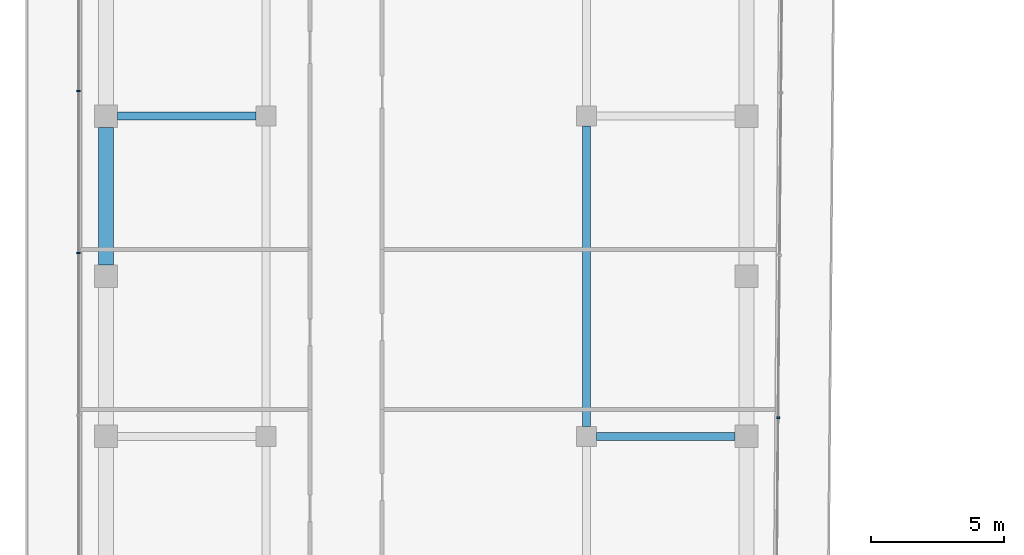
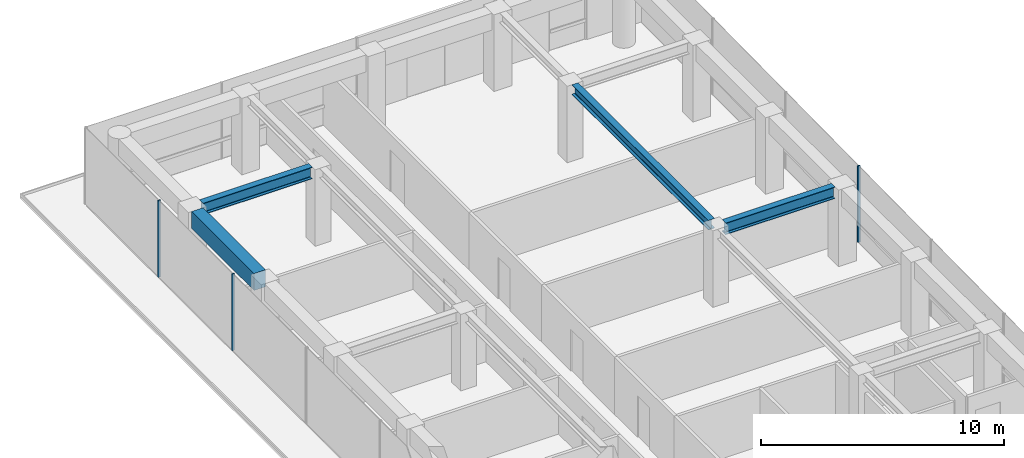
# One storey, part 11 of 19: 4 beams, 3 members, 2 elements without a shape of their own.
"""IFC4 building model written with IfcOpenShell, lengths in metres."""

from ifc_helpers import new_model, si_unit, direction, frame, origin, origin_2d, place, context, subcontext, project, spatial, rectangle, i_section, extrude, material, layer, layer_set, material_profile, profile_set, type_object, element, aggregate, save


model = new_model("IFC4")

# Units and contexts
model_context = context("Model", 3, precision=1e-05, world=origin(), true_north=direction((0.0, 1.0)))
body_context = subcontext(model_context, "Body", "Model", "MODEL_VIEW")
ifc_project = project(units=[si_unit("LENGTHUNIT", "METRE"), si_unit("AREAUNIT", "SQUARE_METRE"), si_unit("VOLUMEUNIT", "CUBIC_METRE"), si_unit("PLANEANGLEUNIT", "RADIAN"), si_unit("MASSUNIT", "GRAM", prefix="KILO")], contexts=[model_context])

# Site, building, storey
site_placement = place(None, origin())
site = spatial("IfcSite", under=ifc_project, at=site_placement, CompositionType="ELEMENT")
building_placement = place(site_placement, origin())
building = spatial("IfcBuilding", under=site, at=building_placement, Name="Welwitschia Terrace Campus", CompositionType="ELEMENT")
storey_placement = place(building_placement, frame((0.0, 0.0, 167.60009765625)))
storey = spatial("IfcBuildingStorey", under=building, at=storey_placement, Name="L37", CompositionType="ELEMENT", Elevation=167.60009765625)

# Beam
ifc_material_1 = material(Name="Steel S355", Category="steel")
ifc_material_profile_1 = material_profile(ifc_material_1, i_section(OverallWidth=0.300048828125, OverallDepth=0.489990234375, WebThickness=0.011962890625, FlangeThickness=0.02294921875, FilletRadius=0.027099609375, at=origin_2d()))
ifc_profile_set_1 = profile_set([ifc_material_profile_1], Name="Steel S355")
beam_type_1 = type_object("IfcBeamType", Name="Interior girder HE 500 A", PredefinedType="BEAM", material=ifc_profile_set_1)
beam_1_placement = place(storey_placement, frame((18.0, 44.37548828125, 3.60498046875), z_axis=(0.0, 1.0, 0.0), x_axis=(-1.0, 0.0, 0.0)))
element("IfcBeam", 1, at=beam_1_placement, inside=storey, type_object=beam_type_1, Name="Girder GB4", PredefinedType="BEAM", context=body_context, shape_type="SweptSolid", body=[
    extrude(i_section(OverallWidth=0.300048828125, OverallDepth=0.489990234375, WebThickness=0.011962890625, FlangeThickness=0.02294921875, FilletRadius=0.027099609375, at=origin_2d()), origin(), (0.0, 0.0, 1.0), 11.2490234375),
])

# Curtain wall, members
ifc_material_2 = material(Name="Bronze anodised aluminium", Category="aluminium")
ifc_layer = layer(ifc_material_2, 0.1201171875)
ifc_layer_set = layer_set([ifc_layer], Name="Bronze anodised aluminium")
curtain_wall_type = type_object("IfcCurtainWallType", Name="Curtain wall CW2 tower 6000", PredefinedType="NOTDEFINED", material=ifc_layer_set)
curtain_wall_1_placement = place(storey_placement, origin())
curtain_wall_1 = element("IfcCurtainWall", 2, at=curtain_wall_1_placement, inside=storey, type_object=curtain_wall_type, Name="CW L37.1.0", PredefinedType="NOTDEFINED")
ifc_material_3 = material(Name="Bronze anodised aluminium", Category="aluminium")
ifc_material_profile_2 = material_profile(ifc_material_3, rectangle(XDim=0.1201171875, YDim=0.06005859375, at=origin_2d()))
ifc_profile_set_2 = profile_set([ifc_material_profile_2], Name="Bronze anodised aluminium")
member_type = type_object("IfcMemberType", Name="Mullion 60x120", PredefinedType="MULLION", material=ifc_profile_set_2)
member_1_placement = place(storey_placement, frame((-1.030029296875, 56.947265625, 0.0), z_axis=(0.0, 0.0, 1.0), x_axis=(1.0, 0.0, 0.0)))
member_1 = element("IfcMember", 3, at=member_1_placement, type_object=member_type, Name="Mullion L37.1.0.1", PredefinedType="MULLION", context=body_context, shape_type="SweptSolid", body=[
    extrude(rectangle(XDim=0.1201171875, YDim=0.06005859375, at=origin_2d()), origin(), (0.0, 0.0, 1.0), 3.849853515625),
])
member_2_placement = place(storey_placement, frame((-1.030029296875, 50.864501953125, 0.0), z_axis=(0.0, 0.0, 1.0), x_axis=(1.0, 0.0, 0.0)))
member_2 = element("IfcMember", 4, at=member_2_placement, type_object=member_type, Name="Mullion L37.1.0.2", PredefinedType="MULLION", context=body_context, shape_type="SweptSolid", body=[
    extrude(rectangle(XDim=0.1201171875, YDim=0.06005859375, at=origin_2d()), origin(), (0.0, 0.0, 1.0), 3.849853515625),
])
aggregate(curtain_wall_1, [member_1, member_2])

# Curtain wall, member
curtain_wall_2_placement = place(storey_placement, origin())
curtain_wall_2 = element("IfcCurtainWall", 5, at=curtain_wall_2_placement, inside=storey, type_object=curtain_wall_type, Name="CW L37.11.0", PredefinedType="NOTDEFINED")
member_3_placement = place(storey_placement, frame((25.189453125, 44.69775390625, 0.0), z_axis=(0.0, 0.0, 1.0), x_axis=(-0.999961923064, 0.008726535498, 0.0)))
member_3 = element("IfcMember", 6, at=member_3_placement, type_object=member_type, Name="Mullion L37.11.0.3", PredefinedType="MULLION", context=body_context, shape_type="SweptSolid", body=[
    extrude(rectangle(XDim=0.1201171875, YDim=0.06005859375, at=origin_2d()), origin(), (0.0, 0.0, 1.0), 3.849853515625),
])
aggregate(curtain_wall_2, [member_3])

# Beams
ifc_material_4 = material(Name="Steel S355", Category="steel")
ifc_material_profile_3 = material_profile(ifc_material_4, i_section(OverallWidth=0.300048828125, OverallDepth=0.590087890625, WebThickness=0.012939453125, FlangeThickness=0.02490234375, FilletRadius=0.027099609375, at=origin_2d()))
ifc_profile_set_3 = profile_set([ifc_material_profile_3], Name="Steel S355")
beam_type_2 = type_object("IfcBeamType", Name="Primary beam HE 600 A", PredefinedType="BEAM", material=ifc_profile_set_3)
for number, where, z_axis, x_axis, name in (
    (7, (23.574462890625, 44.0, 3.554931640625), (-1.0, 0.0, 0.0), (0.0, -1.0, 0.0), "Primary beam PB4"),
    (8, (0.425537109375, 56.0, 3.554931640625), (1.0, 0.0, 0.0), (0.0, 1.0, 0.0), "Primary beam PB4"),
):
    element("IfcBeam", number, at=place(storey_placement, frame(where, z_axis=z_axis, x_axis=x_axis)), inside=storey, type_object=beam_type_2, Name=name, PredefinedType="BEAM", context=body_context, shape_type="SweptSolid", body=[
        extrude(i_section(OverallWidth=0.300048828125, OverallDepth=0.590087890625, WebThickness=0.012939453125, FlangeThickness=0.02490234375, FilletRadius=0.027099609375, at=origin_2d()), origin(), (0.0, 0.0, 1.0), 5.198974609375),
    ])
ifc_material_5 = material(Name="Concrete C50/60", Category="concrete")
ifc_material_profile_4 = material_profile(ifc_material_5, rectangle(XDim=0.550048828125, YDim=0.85009765625, at=origin_2d()))
ifc_profile_set_4 = profile_set([ifc_material_profile_4], Name="Concrete C50/60")
beam_type_3 = type_object("IfcBeamType", Name="Ring spandrel 550x850", PredefinedType="SPANDREL", material=ifc_profile_set_4)
beam_2_placement = place(storey_placement, frame((0.0, 55.574462890625, 3.4248046875), z_axis=(0.0, -1.0, 0.0), x_axis=(1.0, 0.0, 0.0)))
element("IfcBeam", 9, at=beam_2_placement, inside=storey, type_object=beam_type_3, Name="Spandrel SP3", PredefinedType="SPANDREL", context=body_context, shape_type="SweptSolid", body=[
    extrude(rectangle(XDim=0.550048828125, YDim=0.85009765625, at=origin_2d()), origin(), (0.0, 0.0, 1.0), 5.14892578125),
])

save(model, "model.ifc")
